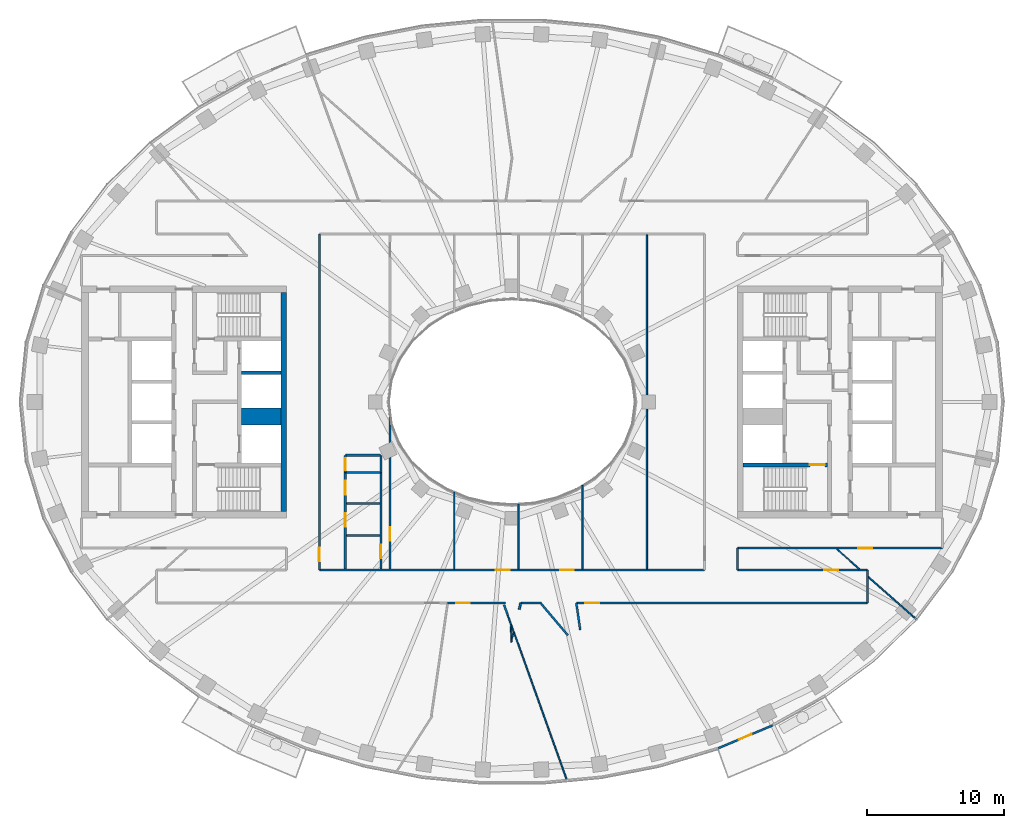
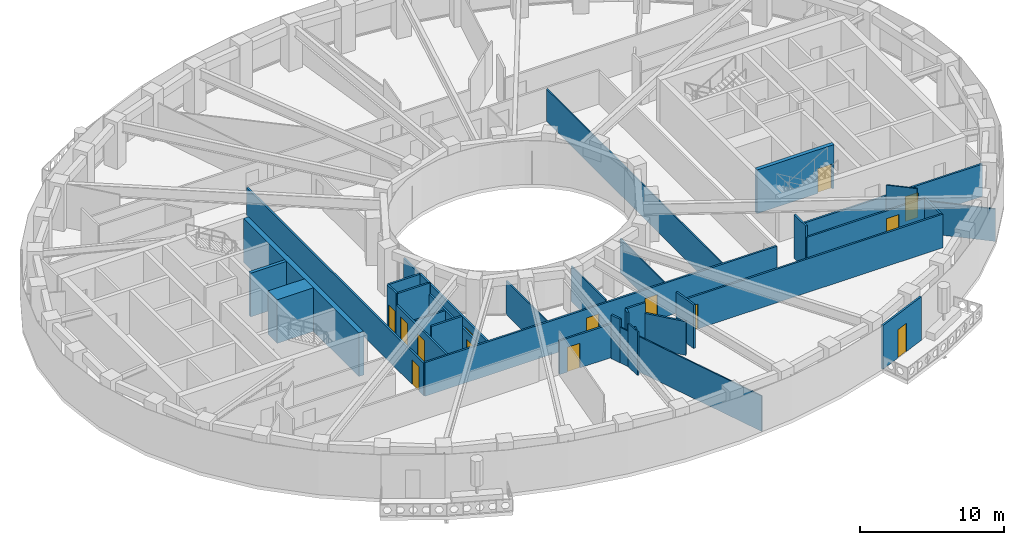
# One storey, part 4 of 15: 36 walls, 14 doors, 14 openings.
"""IFC4 building model written with IfcOpenShell, lengths in metres."""

from ifc_helpers import new_model, si_unit, direction, frame, frame_2d, origin, place, context, subcontext, project, spatial, rectangle, extrude, material, layer, layer_set, type_object, element, fill, save


model = new_model("IFC4")

# Units and contexts
model_context = context("Model", 3, precision=1e-05, world=origin(), true_north=direction((0.0, 1.0)))
body_context = subcontext(model_context, "Body", "Model", "MODEL_VIEW")
ifc_project = project(units=[si_unit("LENGTHUNIT", "METRE"), si_unit("AREAUNIT", "SQUARE_METRE"), si_unit("VOLUMEUNIT", "CUBIC_METRE"), si_unit("PLANEANGLEUNIT", "RADIAN"), si_unit("MASSUNIT", "GRAM", prefix="KILO")], contexts=[model_context])

# Site, building, storey
site_placement = place(None, origin())
site = spatial("IfcSite", under=ifc_project, at=site_placement, CompositionType="ELEMENT")
building_placement = place(site_placement, origin())
building = spatial("IfcBuilding", under=site, at=building_placement, Name="Noorbagh Ring Tower", CompositionType="ELEMENT")
storey_placement = place(building_placement, frame((0.0, 0.0, 253.5)))
storey = spatial("IfcBuildingStorey", under=building, at=storey_placement, Name="L53", CompositionType="ELEMENT", Elevation=253.5)

# Wall, opening, door
ifc_material_1 = material(Name="Gypsum board on steel studs", Category="steel")
ifc_layer_1 = layer(ifc_material_1, 0.14990234375)
ifc_layer_set_1 = layer_set([ifc_layer_1], Name="Gypsum board on steel studs")
wall_type_1 = type_object("IfcWallType", Name="COMPARTMENT PARTITION 150 EI 60", PredefinedType="PARTITIONING", material=ifc_layer_set_1)
wall_1_placement = place(storey_placement, frame((-12.199951171875, -5.159912109375, 0.0), z_axis=(0.0, 0.0, 1.0), x_axis=(0.0, 1.0, 0.0)))
wall_1 = element("IfcWall", 1, at=wall_1_placement, inside=storey, type_object=wall_type_1, Name="L53/wall/P25", PredefinedType="PARTITIONING", context=body_context, shape_type="SweptSolid", body=[
    extrude(rectangle(XDim=1.260009765625, YDim=0.14990234375, at=frame_2d((0.6298828125, 0.0))), origin(), (0.0, 0.0, 1.0), 3.699951171875),
])
opening_1_placement = place(wall_1_placement, frame((0.14990234375, 0.0, 0.0)))
opening_1 = element("IfcOpeningElement", 2, at=opening_1_placement, cuts=wall_1, Name="Opening D4", PredefinedType="OPENING", context=body_context, shape_type="SweptSolid", body=[
    extrude(rectangle(XDim=0.89990234375, YDim=2.10009765625, at=frame_2d((0.449951171875, 1.050048828125))), frame((0.0, 0.0849609375, 0.0), z_axis=(0.0, -1.0, 0.0), x_axis=(1.0, 0.0, 0.0)), (0.0, 0.0, 1.0), 0.169921875),
])
ifc_material_2 = material(Name="Timber, painted", Category="wood")
door_type_1 = type_object("IfcDoorType", Name="DOOR 900 X 2100 FD60", OperationType="SINGLE_SWING_LEFT", PredefinedType="DOOR", material=ifc_material_2)
door_1_placement = place(opening_1_placement, origin())
door_1 = element("IfcDoor", 3, at=door_1_placement, inside=storey, type_object=door_type_1, Name="L53-D05", OperationType="SINGLE_SWING_LEFT", OverallHeight=2.10009765625, OverallWidth=0.89990234375, PredefinedType="DOOR", context=body_context, shape_type="SweptSolid", body=[
    extrude(rectangle(XDim=0.89990234375, YDim=2.10009765625, at=frame_2d((0.449951171875, 1.050048828125))), frame((0.0, 0.02490234375, 0.0), z_axis=(0.0, -1.0, 0.0), x_axis=(1.0, 0.0, 0.0)), (0.0, 0.0, 1.0), 0.050048828125),
])
fill(opening_1, door_1)

# Walls
wall_2_placement = place(storey_placement, frame((-12.199951171875, -5.159912109375, 0.0), z_axis=(0.0, 0.0, 1.0), x_axis=(1.0, 0.0, 0.0)))
element("IfcWall", 4, at=wall_2_placement, inside=storey, type_object=wall_type_1, Name="L53/wall/P26", PredefinedType="PARTITIONING", context=body_context, shape_type="SweptSolid", body=[
    extrude(rectangle(XDim=2.599853515625, YDim=0.14990234375, at=frame_2d((1.2998046875, 0.0))), origin(), (0.0, 0.0, 1.0), 3.699951171875),
])
wall_3_placement = place(storey_placement, frame((-12.199951171875, -3.89990234375, 0.0), z_axis=(0.0, 0.0, 1.0), x_axis=(1.0, 0.0, 0.0)))
element("IfcWall", 5, at=wall_3_placement, inside=storey, type_object=wall_type_1, Name="L53/wall/P27", PredefinedType="PARTITIONING", context=body_context, shape_type="SweptSolid", body=[
    extrude(rectangle(XDim=2.595947265625, YDim=0.14990234375, at=frame_2d((1.2978515625, 0.0))), origin(), (0.0, 0.0, 1.0), 3.699951171875),
])
wall_4_placement = place(storey_placement, frame((-9.60009765625, -5.159912109375, 0.0), z_axis=(0.0, 0.0, 1.0), x_axis=(0.0, 1.0, 0.0)))
element("IfcWall", 6, at=wall_4_placement, inside=storey, type_object=wall_type_1, Name="L53/wall/P30", PredefinedType="PARTITIONING", context=body_context, shape_type="SweptSolid", body=[
    extrude(rectangle(XDim=1.255859375, YDim=0.14990234375, at=frame_2d((0.6279296875, 0.0))), origin(), (0.0, 0.0, 1.0), 3.699951171875),
])
ifc_material_3 = material(Name="Concrete C60/75", Category="concrete")
ifc_layer_2 = layer(ifc_material_3, 1.25)
ifc_layer_set_2 = layer_set([ifc_layer_2], Name="Concrete C60/75")
wall_type_2 = type_object("IfcWallType", Name="CORE-WALL-1250-C60-75-EI120", PredefinedType="SHEAR", material=ifc_layer_set_2)
wall_5_placement = place(storey_placement, frame((-16.89990234375, -1.074951171875, 0.0), z_axis=(0.0, 0.0, 1.0), x_axis=(-1.0, 0.0, 0.0)))
element("IfcWall", 7, at=wall_5_placement, inside=storey, type_object=wall_type_2, Name="Core wall W", PredefinedType="SHEAR", context=body_context, shape_type="SweptSolid", body=[
    extrude(rectangle(XDim=2.900146484375, YDim=1.25, at=frame_2d((1.4501953125, 0.0))), origin(), (0.0, 0.0, 1.0), 3.699951171875),
])
ifc_material_4 = material(Name="Concrete C60/75", Category="concrete")
ifc_layer_3 = layer(ifc_material_4, 0.25)
ifc_layer_set_3 = layer_set([ifc_layer_3], Name="Concrete C60/75")
wall_type_3 = type_object("IfcWallType", Name="CORE-WALL-250-C60-75-EI120", PredefinedType="SHEAR", material=ifc_layer_set_3)
wall_6_placement = place(storey_placement, frame((-16.89990234375, 2.125, 0.0), z_axis=(0.0, 0.0, 1.0), x_axis=(-1.0, 0.0, 0.0)))
element("IfcWall", 8, at=wall_6_placement, inside=storey, type_object=wall_type_3, Name="Core wall W", PredefinedType="SHEAR", context=body_context, shape_type="SweptSolid", body=[
    extrude(rectangle(XDim=2.900146484375, YDim=0.25, at=frame_2d((1.4501953125, 0.0))), origin(), (0.0, 0.0, 1.0), 3.699951171875),
])

# Wall, opening, door
ifc_material_5 = material(Name="Concrete C60/75", Category="concrete")
ifc_layer_4 = layer(ifc_material_5, 0.300048828125)
ifc_layer_set_4 = layer_set([ifc_layer_4], Name="Concrete C60/75")
wall_type_4 = type_object("IfcWallType", Name="CORE-WALL-300-C60-75-EI240", PredefinedType="SHEAR", material=ifc_layer_set_4)
wall_7_placement = place(storey_placement, frame((16.89990234375, -4.60009765625, 0.0), z_axis=(0.0, 0.0, 1.0), x_axis=(1.0, 0.0, 0.0)))
wall_7 = element("IfcWall", 9, at=wall_7_placement, inside=storey, type_object=wall_type_4, Name="Core wall E", PredefinedType="SHEAR", context=body_context, shape_type="SweptSolid", body=[
    extrude(rectangle(XDim=6.18017578125, YDim=0.300048828125, at=frame_2d((3.090087890625, 0.0))), origin(), (0.0, 0.0, 1.0), 3.699951171875),
])
opening_2_placement = place(wall_7_placement, frame((4.89990234375, 0.0, 0.0)))
opening_2 = element("IfcOpeningElement", 10, at=opening_2_placement, cuts=wall_7, Name="Opening L53-CE08", PredefinedType="OPENING", context=body_context, shape_type="SweptSolid", body=[
    extrude(rectangle(XDim=1.10009765625, YDim=2.10009765625, at=frame_2d((0.550048828125, 1.050048828125))), frame((0.0, 0.16015625, 0.0), z_axis=(0.0, -1.0, 0.0), x_axis=(1.0, 0.0, 0.0)), (0.0, 0.0, 1.0), 0.320068359375),
])
ifc_material_6 = material(Name="Steel door leaf", Category="steel")
door_type_2 = type_object("IfcDoorType", Name="CORE-DOOR-DSTAIR", OperationType="SINGLE_SWING_LEFT", PredefinedType="DOOR", material=ifc_material_6)
door_2_placement = place(opening_2_placement, origin())
door_2 = element("IfcDoor", 11, at=door_2_placement, inside=storey, type_object=door_type_2, Name="Stair door ST4 L53-CE08", OperationType="SINGLE_SWING_RIGHT", OverallHeight=2.10009765625, OverallWidth=1.10009765625, PredefinedType="DOOR", context=body_context, shape_type="SweptSolid", body=[
    extrude(rectangle(XDim=1.10009765625, YDim=2.10009765625, at=frame_2d((0.550048828125, 1.050048828125))), frame((0.0, 0.02490234375, 0.0), z_axis=(0.0, -1.0, 0.0), x_axis=(1.0, 0.0, 0.0)), (0.0, 0.0, 1.0), 0.050048828125),
])
fill(opening_2, door_2)

# Wall
ifc_material_7 = material(Name="Concrete C60/75", Category="concrete")
ifc_layer_5 = layer(ifc_material_7, 0.39990234375)
ifc_layer_set_5 = layer_set([ifc_layer_5], Name="Concrete C60/75")
wall_type_5 = type_object("IfcWallType", Name="CORE-WALL-400-C60-75-EI240", PredefinedType="SHEAR", material=ifc_layer_set_5)
wall_8_placement = place(storey_placement, frame((-16.699951171875, -8.0, 0.0), z_axis=(0.0, 0.0, 1.0), x_axis=(0.0, 1.0, 0.0)))
element("IfcWall", 12, at=wall_8_placement, inside=storey, type_object=wall_type_5, Name="Core wall W", PredefinedType="SHEAR", context=body_context, shape_type="SweptSolid", body=[
    extrude(rectangle(XDim=16.0, YDim=0.39990234375, at=frame_2d((8.0, 0.0))), origin(), (0.0, 0.0, 1.0), 3.699951171875),
])

# Wall, opening, door
ifc_material_8 = material(Name="Gypsum board on steel studs", Category="steel")
ifc_layer_6 = layer(ifc_material_8, 0.14990234375)
ifc_layer_set_6 = layer_set([ifc_layer_6], Name="Gypsum board on steel studs")
wall_type_6 = type_object("IfcWallType", Name="CORRIDOR PARTITION 150 EI 30", PredefinedType="PARTITIONING", material=ifc_layer_set_6)
wall_9_placement = place(storey_placement, frame((-14.10009765625, -12.300048828125, 0.0), z_axis=(0.0, 0.0, 1.0), x_axis=(0.0, 1.0, 0.0)))
wall_9 = element("IfcWall", 13, at=wall_9_placement, inside=storey, type_object=wall_type_6, Name="L53/wall/P18", PredefinedType="PARTITIONING", context=body_context, shape_type="SweptSolid", body=[
    extrude(rectangle(XDim=24.60009765625, YDim=0.14990234375, at=frame_2d((12.300048828125, 0.0))), origin(), (0.0, 0.0, 1.0), 2.75),
])
opening_3_placement = place(wall_9_placement, frame((0.64990234375, 0.0, 0.0)))
opening_3 = element("IfcOpeningElement", 14, at=opening_3_placement, cuts=wall_9, Name="Opening D1", PredefinedType="OPENING", context=body_context, shape_type="SweptSolid", body=[
    extrude(rectangle(XDim=1.0, YDim=2.10009765625, at=frame_2d((0.5, 1.050048828125))), frame((0.0, 0.0849609375, 0.0), z_axis=(0.0, -1.0, 0.0), x_axis=(1.0, 0.0, 0.0)), (0.0, 0.0, 1.0), 0.169921875),
])
ifc_material_9 = material(Name="Timber, painted", Category="wood")
door_type_3 = type_object("IfcDoorType", Name="DOOR 1000 X 2100 FD30", OperationType="SINGLE_SWING_LEFT", PredefinedType="DOOR", material=ifc_material_9)
door_3_placement = place(opening_3_placement, origin())
door_3 = element("IfcDoor", 15, at=door_3_placement, inside=storey, type_object=door_type_3, Name="L53-D01", OperationType="SINGLE_SWING_LEFT", OverallHeight=2.10009765625, OverallWidth=1.0, PredefinedType="DOOR", context=body_context, shape_type="SweptSolid", body=[
    extrude(rectangle(XDim=1.0, YDim=2.10009765625, at=frame_2d((0.5, 1.050048828125))), frame((0.0, 0.02490234375, 0.0), z_axis=(0.0, -1.0, 0.0), x_axis=(1.0, 0.0, 0.0)), (0.0, 0.0, 1.0), 0.050048828125),
])
fill(opening_3, door_3)

# Wall, openings, doors
wall_10_placement = place(storey_placement, frame((-14.10009765625, -12.300048828125, 0.0), z_axis=(0.0, 0.0, 1.0), x_axis=(1.0, 0.0, 0.0)))
wall_10 = element("IfcWall", 16, at=wall_10_placement, inside=storey, type_object=wall_type_6, Name="L53/wall/P19", PredefinedType="PARTITIONING", context=body_context, shape_type="SweptSolid", body=[
    extrude(rectangle(XDim=28.2001953125, YDim=0.14990234375, at=frame_2d((14.10009765625, 0.0))), origin(), (0.0, 0.0, 1.0), 2.85009765625),
])
opening_4_placement = place(wall_10_placement, frame((12.919921875, 0.0, 0.0)))
opening_4 = element("IfcOpeningElement", 17, at=opening_4_placement, cuts=wall_10, Name="Opening D1", PredefinedType="OPENING", context=body_context, shape_type="SweptSolid", body=[
    extrude(rectangle(XDim=1.0, YDim=2.10009765625, at=frame_2d((0.5, 1.050048828125))), frame((0.0, 0.0849609375, 0.0), z_axis=(0.0, -1.0, 0.0), x_axis=(1.0, 0.0, 0.0)), (0.0, 0.0, 1.0), 0.169921875),
])
opening_5_placement = place(wall_10_placement, frame((17.6201171875, 0.0, 0.0)))
opening_5 = element("IfcOpeningElement", 18, at=opening_5_placement, cuts=wall_10, Name="Opening D1", PredefinedType="OPENING", context=body_context, shape_type="SweptSolid", body=[
    extrude(rectangle(XDim=1.0, YDim=2.10009765625, at=frame_2d((0.5, 1.050048828125))), frame((0.0, 0.0849609375, 0.0), z_axis=(0.0, -1.0, 0.0), x_axis=(1.0, 0.0, 0.0)), (0.0, 0.0, 1.0), 0.169921875),
])
door_4_placement = place(opening_4_placement, origin())
door_4 = element("IfcDoor", 19, at=door_4_placement, inside=storey, type_object=door_type_3, Name="L53-D23", OperationType="SINGLE_SWING_LEFT", OverallHeight=2.10009765625, OverallWidth=1.0, PredefinedType="DOOR", context=body_context, shape_type="SweptSolid", body=[
    extrude(rectangle(XDim=1.0, YDim=2.10009765625, at=frame_2d((0.5, 1.050048828125))), frame((0.0, 0.02490234375, 0.0), z_axis=(0.0, -1.0, 0.0), x_axis=(1.0, 0.0, 0.0)), (0.0, 0.0, 1.0), 0.050048828125),
])
fill(opening_4, door_4)
door_5_placement = place(opening_5_placement, origin())
door_5 = element("IfcDoor", 20, at=door_5_placement, inside=storey, type_object=door_type_3, Name="L53-D25", OperationType="SINGLE_SWING_LEFT", OverallHeight=2.10009765625, OverallWidth=1.0, PredefinedType="DOOR", context=body_context, shape_type="SweptSolid", body=[
    extrude(rectangle(XDim=1.0, YDim=2.10009765625, at=frame_2d((0.5, 1.050048828125))), frame((0.0, 0.02490234375, 0.0), z_axis=(0.0, -1.0, 0.0), x_axis=(1.0, 0.0, 0.0)), (0.0, 0.0, 1.0), 0.050048828125),
])
fill(opening_5, door_5)

wall_11_placement = place(storey_placement, frame((-12.199951171875, -12.22509765625, 0.0), z_axis=(0.0, 0.0, 1.0), x_axis=(0.0, 1.0, 0.0)))
wall_11 = element("IfcWall", 21, at=wall_11_placement, inside=storey, type_object=wall_type_6, Name="L53/wall/P22", PredefinedType="PARTITIONING", context=body_context, shape_type="SweptSolid", body=[
    extrude(rectangle(XDim=7.065185546875, YDim=0.14990234375, at=frame_2d((3.53271484375, 0.0))), origin(), (0.0, 0.0, 1.0), 2.75),
])
opening_6_placement = place(wall_11_placement, frame((3.094970703125, 0.0, 0.0)))
opening_6 = element("IfcOpeningElement", 22, at=opening_6_placement, cuts=wall_11, Name="Opening D3", PredefinedType="OPENING", context=body_context, shape_type="SweptSolid", body=[
    extrude(rectangle(XDim=1.0, YDim=2.10009765625, at=frame_2d((0.5, 1.050048828125))), frame((0.0, 0.0849609375, 0.0), z_axis=(0.0, -1.0, 0.0), x_axis=(1.0, 0.0, 0.0)), (0.0, 0.0, 1.0), 0.169921875),
])
opening_7_placement = place(wall_11_placement, frame((5.447021484375, 0.0, 0.0)))
opening_7 = element("IfcOpeningElement", 23, at=opening_7_placement, cuts=wall_11, Name="Opening D3", PredefinedType="OPENING", context=body_context, shape_type="SweptSolid", body=[
    extrude(rectangle(XDim=1.0, YDim=2.10009765625, at=frame_2d((0.5, 1.050048828125))), frame((0.0, 0.0849609375, 0.0), z_axis=(0.0, -1.0, 0.0), x_axis=(1.0, 0.0, 0.0)), (0.0, 0.0, 1.0), 0.169921875),
])
ifc_material_10 = material(Name="Timber, painted", Category="wood")
door_type_4 = type_object("IfcDoorType", Name="DOOR 1000 X 2100 WC", OperationType="SINGLE_SWING_LEFT", PredefinedType="DOOR", material=ifc_material_10)
door_6_placement = place(opening_6_placement, origin())
door_6 = element("IfcDoor", 24, at=door_6_placement, inside=storey, type_object=door_type_4, Name="L53-D03", OperationType="SINGLE_SWING_LEFT", OverallHeight=2.10009765625, OverallWidth=1.0, PredefinedType="DOOR", context=body_context, shape_type="SweptSolid", body=[
    extrude(rectangle(XDim=1.0, YDim=2.10009765625, at=frame_2d((0.5, 1.050048828125))), frame((0.0, 0.02490234375, 0.0), z_axis=(0.0, -1.0, 0.0), x_axis=(1.0, 0.0, 0.0)), (0.0, 0.0, 1.0), 0.050048828125),
])
fill(opening_6, door_6)
door_7_placement = place(opening_7_placement, origin())
door_7 = element("IfcDoor", 25, at=door_7_placement, inside=storey, type_object=door_type_4, Name="L53-D04", OperationType="SINGLE_SWING_RIGHT", OverallHeight=2.10009765625, OverallWidth=1.0, PredefinedType="DOOR", context=body_context, shape_type="SweptSolid", body=[
    extrude(rectangle(XDim=1.0, YDim=2.10009765625, at=frame_2d((0.5, 1.050048828125))), frame((0.0, 0.02490234375, 0.0), z_axis=(0.0, -1.0, 0.0), x_axis=(1.0, 0.0, 0.0)), (0.0, 0.0, 1.0), 0.050048828125),
])
fill(opening_7, door_7)

# Walls
wall_12_placement = place(storey_placement, frame((-12.125, -9.780029296875, 0.0), z_axis=(0.0, 0.0, 1.0), x_axis=(1.0, 0.0, 0.0)))
element("IfcWall", 26, at=wall_12_placement, inside=storey, type_object=wall_type_6, Name="L53/wall/P23", PredefinedType="PARTITIONING", context=body_context, shape_type="SweptSolid", body=[
    extrude(rectangle(XDim=2.449951171875, YDim=0.14990234375, at=frame_2d((1.22509765625, 0.0))), origin(), (0.0, 0.0, 1.0), 3.699951171875),
])
wall_13_placement = place(storey_placement, frame((-12.125, -7.427978515625, 0.0), z_axis=(0.0, 0.0, 1.0), x_axis=(1.0, 0.0, 0.0)))
element("IfcWall", 27, at=wall_13_placement, inside=storey, type_object=wall_type_6, Name="L53/wall/P24", PredefinedType="PARTITIONING", context=body_context, shape_type="SweptSolid", body=[
    extrude(rectangle(XDim=2.449951171875, YDim=0.14990234375, at=frame_2d((1.22509765625, 0.0))), origin(), (0.0, 0.0, 1.0), 2.75),
])

# Wall, opening, door
wall_14_placement = place(storey_placement, frame((-9.60009765625, -12.22509765625, 0.0), z_axis=(0.0, 0.0, 1.0), x_axis=(0.0, 1.0, 0.0)))
wall_14 = element("IfcWall", 28, at=wall_14_placement, inside=storey, type_object=wall_type_6, Name="L53/wall/P29", PredefinedType="PARTITIONING", context=body_context, shape_type="SweptSolid", body=[
    extrude(rectangle(XDim=7.065185546875, YDim=0.14990234375, at=frame_2d((3.53271484375, 0.0))), origin(), (0.0, 0.0, 1.0), 2.75),
])
opening_8_placement = place(wall_14_placement, frame((0.794921875, 0.0, 0.0)))
opening_8 = element("IfcOpeningElement", 29, at=opening_8_placement, cuts=wall_14, Name="Opening D3", PredefinedType="OPENING", context=body_context, shape_type="SweptSolid", body=[
    extrude(rectangle(XDim=1.0, YDim=2.10009765625, at=frame_2d((0.5, 1.050048828125))), frame((0.0, 0.0849609375, 0.0), z_axis=(0.0, -1.0, 0.0), x_axis=(1.0, 0.0, 0.0)), (0.0, 0.0, 1.0), 0.169921875),
])
door_8_placement = place(opening_8_placement, origin())
door_8 = element("IfcDoor", 30, at=door_8_placement, inside=storey, type_object=door_type_4, Name="L53-D02", OperationType="SINGLE_SWING_RIGHT", OverallHeight=2.10009765625, OverallWidth=1.0, PredefinedType="DOOR", context=body_context, shape_type="SweptSolid", body=[
    extrude(rectangle(XDim=1.0, YDim=2.10009765625, at=frame_2d((0.5, 1.050048828125))), frame((0.0, 0.02490234375, 0.0), z_axis=(0.0, -1.0, 0.0), x_axis=(1.0, 0.0, 0.0)), (0.0, 0.0, 1.0), 0.050048828125),
])
fill(opening_8, door_8)

wall_15_placement = place(storey_placement, frame((-8.929931640625, -12.22509765625, 0.0), z_axis=(0.0, 0.0, 1.0), x_axis=(0.0, 1.0, 0.0)))
wall_15 = element("IfcWall", 31, at=wall_15_placement, inside=storey, type_object=wall_type_6, Name="L53/wall/P31", PredefinedType="PARTITIONING", context=body_context, shape_type="SweptSolid", body=[
    extrude(rectangle(XDim=11.70703125, YDim=0.14990234375, at=frame_2d((5.853515625, 0.0))), origin(), (0.0, 0.0, 1.0), 2.75),
])
opening_9_placement = place(wall_15_placement, frame((2.074951171875, 0.0, 0.0)))
opening_9 = element("IfcOpeningElement", 32, at=opening_9_placement, cuts=wall_15, Name="Opening D1", PredefinedType="OPENING", context=body_context, shape_type="SweptSolid", body=[
    extrude(rectangle(XDim=1.0, YDim=2.10009765625, at=frame_2d((0.5, 1.050048828125))), frame((0.0, 0.0849609375, 0.0), z_axis=(0.0, -1.0, 0.0), x_axis=(1.0, 0.0, 0.0)), (0.0, 0.0, 1.0), 0.169921875),
])
door_9_placement = place(opening_9_placement, origin())
door_9 = element("IfcDoor", 33, at=door_9_placement, inside=storey, type_object=door_type_3, Name="L53-D21", OperationType="SINGLE_SWING_LEFT", OverallHeight=2.10009765625, OverallWidth=1.0, PredefinedType="DOOR", context=body_context, shape_type="SweptSolid", body=[
    extrude(rectangle(XDim=1.0, YDim=2.10009765625, at=frame_2d((0.5, 1.050048828125))), frame((0.0, 0.02490234375, 0.0), z_axis=(0.0, -1.0, 0.0), x_axis=(1.0, 0.0, 0.0)), (0.0, 0.0, 1.0), 0.050048828125),
])
fill(opening_9, door_9)

wall_16_placement = place(storey_placement, frame((-4.705078125, -14.699951171875, 0.0), z_axis=(0.0, 0.0, 1.0), x_axis=(1.0, 0.0, 0.0)))
wall_16 = element("IfcWall", 34, at=wall_16_placement, inside=storey, type_object=wall_type_6, Name="L53/wall/P35", PredefinedType="PARTITIONING", context=body_context, shape_type="SweptSolid", body=[
    extrude(rectangle(XDim=4.212158203125, YDim=0.14990234375, at=frame_2d((2.10595703125, 0.0))), origin(), (0.0, 0.0, 1.0), 2.85009765625),
])
opening_10_placement = place(wall_16_placement, frame((0.6298828125, 0.0, 0.0)))
opening_10 = element("IfcOpeningElement", 35, at=opening_10_placement, cuts=wall_16, Name="Opening D1", PredefinedType="OPENING", context=body_context, shape_type="SweptSolid", body=[
    extrude(rectangle(XDim=1.0, YDim=2.10009765625, at=frame_2d((0.5, 1.050048828125))), frame((0.0, 0.0849609375, 0.0), z_axis=(0.0, -1.0, 0.0), x_axis=(1.0, 0.0, 0.0)), (0.0, 0.0, 1.0), 0.169921875),
])
door_10_placement = place(opening_10_placement, origin())
door_10 = element("IfcDoor", 36, at=door_10_placement, inside=storey, type_object=door_type_3, Name="L53-D13", OperationType="SINGLE_SWING_LEFT", OverallHeight=2.10009765625, OverallWidth=1.0, PredefinedType="DOOR", context=body_context, shape_type="SweptSolid", body=[
    extrude(rectangle(XDim=1.0, YDim=2.10009765625, at=frame_2d((0.5, 1.050048828125))), frame((0.0, 0.02490234375, 0.0), z_axis=(0.0, -1.0, 0.0), x_axis=(1.0, 0.0, 0.0)), (0.0, 0.0, 1.0), 0.050048828125),
])
fill(opening_10, door_10)

# Walls
wall_17_placement = place(storey_placement, frame((-0.5810546875, -14.847900390625, 0.0), z_axis=(0.0, 0.0, 1.0), x_axis=(0.338772689559, -0.940868250505, 0.0)))
element("IfcWall", 37, at=wall_17_placement, inside=storey, type_object=wall_type_6, Name="L53/wall/P39", PredefinedType="PARTITIONING", context=body_context, shape_type="SweptSolid", body=[
    extrude(rectangle(XDim=0.812255859375, YDim=0.14990234375, at=frame_2d((0.40625, 0.0))), origin(), (0.0, 0.0, 1.0), 3.699951171875),
])
wall_18_placement = place(storey_placement, frame((0.52490234375, -15.1689453125, 0.0), z_axis=(0.0, 0.0, 1.0), x_axis=(0.239131424565, 0.970987209898, 0.0)))
element("IfcWall", 38, at=wall_18_placement, inside=storey, type_object=wall_type_6, Name="L53/wall/P47", PredefinedType="PARTITIONING", context=body_context, shape_type="SweptSolid", body=[
    extrude(rectangle(XDim=0.47265625, YDim=0.14990234375, at=frame_2d((0.236328125, 0.0))), origin(), (0.0, 0.0, 1.0), 3.699951171875),
])
wall_19_placement = place(storey_placement, frame((0.64111328125, -14.699951171875, 0.0), z_axis=(0.0, 0.0, 1.0), x_axis=(1.0, 0.0, 0.0)))
element("IfcWall", 39, at=wall_19_placement, inside=storey, type_object=wall_type_6, Name="L53/wall/P48", PredefinedType="PARTITIONING", context=body_context, shape_type="SweptSolid", body=[
    extrude(rectangle(XDim=1.533935546875, YDim=0.14990234375, at=frame_2d((0.76708984375, 0.0))), origin(), (0.0, 0.0, 1.0), 3.699951171875),
])
wall_20_placement = place(storey_placement, frame((2.14306640625, -14.778076171875, 0.0), z_axis=(0.0, 0.0, 1.0), x_axis=(0.646434796418, -0.762969235277, 0.0)))
element("IfcWall", 40, at=wall_20_placement, inside=storey, type_object=wall_type_6, Name="L53/wall/P49", PredefinedType="PARTITIONING", context=body_context, shape_type="SweptSolid", body=[
    extrude(rectangle(XDim=3.02099609375, YDim=0.14990234375, at=frame_2d((1.510498046875, 0.0))), origin(), (0.0, 0.0, 1.0), 2.85009765625),
])
wall_21_placement = place(storey_placement, frame((4.705078125, -14.7041015625, 0.0), z_axis=(0.0, 0.0, 1.0), x_axis=(0.142653420191, -0.989772702042, 0.0)))
element("IfcWall", 41, at=wall_21_placement, inside=storey, type_object=wall_type_6, Name="L53/wall/P50", PredefinedType="PARTITIONING", context=body_context, shape_type="SweptSolid", body=[
    extrude(rectangle(XDim=1.997314453125, YDim=0.14990234375, at=frame_2d((0.99853515625, 0.0))), origin(), (0.0, 0.0, 1.0), 3.699951171875),
])

# Wall, opening, door
wall_22_placement = place(storey_placement, frame((4.72509765625, -14.699951171875, 0.0), z_axis=(0.0, 0.0, 1.0), x_axis=(1.0, 0.0, 0.0)))
wall_22 = element("IfcWall", 42, at=wall_22_placement, inside=storey, type_object=wall_type_6, Name="L53/wall/P51", PredefinedType="PARTITIONING", context=body_context, shape_type="SweptSolid", body=[
    extrude(rectangle(XDim=21.27490234375, YDim=0.14990234375, at=frame_2d((10.637451171875, 0.0))), origin(), (0.0, 0.0, 1.0), 2.85009765625),
])
opening_11_placement = place(wall_22_placement, frame((0.64990234375, 0.0, 0.0)))
opening_11 = element("IfcOpeningElement", 43, at=opening_11_placement, cuts=wall_22, Name="Opening D1", PredefinedType="OPENING", context=body_context, shape_type="SweptSolid", body=[
    extrude(rectangle(XDim=1.0, YDim=2.10009765625, at=frame_2d((0.5, 1.050048828125))), frame((0.0, 0.0849609375, 0.0), z_axis=(0.0, -1.0, 0.0), x_axis=(1.0, 0.0, 0.0)), (0.0, 0.0, 1.0), 0.169921875),
])
door_11_placement = place(opening_11_placement, origin())
door_11 = element("IfcDoor", 44, at=door_11_placement, inside=storey, type_object=door_type_3, Name="L53-D15", OperationType="SINGLE_SWING_LEFT", OverallHeight=2.10009765625, OverallWidth=1.0, PredefinedType="DOOR", context=body_context, shape_type="SweptSolid", body=[
    extrude(rectangle(XDim=1.0, YDim=2.10009765625, at=frame_2d((0.5, 1.050048828125))), frame((0.0, 0.02490234375, 0.0), z_axis=(0.0, -1.0, 0.0), x_axis=(1.0, 0.0, 0.0)), (0.0, 0.0, 1.0), 0.050048828125),
])
fill(opening_11, door_11)

# Wall
wall_23_placement = place(storey_placement, frame((16.5, -12.300048828125, 0.0), z_axis=(0.0, 0.0, 1.0), x_axis=(0.0, 1.0, 0.0)))
element("IfcWall", 45, at=wall_23_placement, inside=storey, type_object=wall_type_6, Name="L53/wall/P61", PredefinedType="PARTITIONING", context=body_context, shape_type="SweptSolid", body=[
    extrude(rectangle(XDim=1.60009765625, YDim=0.14990234375, at=frame_2d((0.800048828125, 0.0))), origin(), (0.0, 0.0, 1.0), 3.699951171875),
])

# Wall, opening, door
wall_24_placement = place(storey_placement, frame((16.5, -12.300048828125, 0.0), z_axis=(0.0, 0.0, 1.0), x_axis=(1.0, 0.0, 0.0)))
wall_24 = element("IfcWall", 46, at=wall_24_placement, inside=storey, type_object=wall_type_6, Name="L53/wall/P62", PredefinedType="PARTITIONING", context=body_context, shape_type="SweptSolid", body=[
    extrude(rectangle(XDim=9.5, YDim=0.14990234375, at=frame_2d((4.75, 0.0))), origin(), (0.0, 0.0, 1.0), 2.75),
])
opening_12_placement = place(wall_24_placement, frame((6.35595703125, 0.0, 0.0)))
opening_12 = element("IfcOpeningElement", 47, at=opening_12_placement, cuts=wall_24, Name="Opening D1", PredefinedType="OPENING", context=body_context, shape_type="SweptSolid", body=[
    extrude(rectangle(XDim=1.0, YDim=2.10009765625, at=frame_2d((0.5, 1.050048828125))), frame((0.0, 0.0849609375, 0.0), z_axis=(0.0, -1.0, 0.0), x_axis=(1.0, 0.0, 0.0)), (0.0, 0.0, 1.0), 0.169921875),
])
door_12_placement = place(opening_12_placement, origin())
door_12 = element("IfcDoor", 48, at=door_12_placement, inside=storey, type_object=door_type_3, Name="L53-D17", OperationType="SINGLE_SWING_LEFT", OverallHeight=2.10009765625, OverallWidth=1.0, PredefinedType="DOOR", context=body_context, shape_type="SweptSolid", body=[
    extrude(rectangle(XDim=1.0, YDim=2.10009765625, at=frame_2d((0.5, 1.050048828125))), frame((0.0, 0.02490234375, 0.0), z_axis=(0.0, -1.0, 0.0), x_axis=(1.0, 0.0, 0.0)), (0.0, 0.0, 1.0), 0.050048828125),
])
fill(opening_12, door_12)

wall_25_placement = place(storey_placement, frame((16.5, -10.699951171875, 0.0), z_axis=(0.0, 0.0, 1.0), x_axis=(1.0, 0.0, 0.0)))
wall_25 = element("IfcWall", 49, at=wall_25_placement, inside=storey, type_object=wall_type_6, Name="L53/wall/P63", PredefinedType="PARTITIONING", context=body_context, shape_type="SweptSolid", body=[
    extrude(rectangle(XDim=15.0, YDim=0.14990234375, at=frame_2d((7.5, 0.0))), origin(), (0.0, 0.0, 1.0), 2.75),
])
opening_13_placement = place(wall_25_placement, frame((8.846923828125, 0.0, 0.0)))
opening_13 = element("IfcOpeningElement", 50, at=opening_13_placement, cuts=wall_25, Name="Opening D1", PredefinedType="OPENING", context=body_context, shape_type="SweptSolid", body=[
    extrude(rectangle(XDim=1.0, YDim=2.10009765625, at=frame_2d((0.5, 1.050048828125))), frame((0.0, 0.0849609375, 0.0), z_axis=(0.0, -1.0, 0.0), x_axis=(1.0, 0.0, 0.0)), (0.0, 0.0, 1.0), 0.169921875),
])
door_13_placement = place(opening_13_placement, origin())
door_13 = element("IfcDoor", 51, at=door_13_placement, inside=storey, type_object=door_type_3, Name="L53-D19", OperationType="SINGLE_SWING_LEFT", OverallHeight=2.10009765625, OverallWidth=1.0, PredefinedType="DOOR", context=body_context, shape_type="SweptSolid", body=[
    extrude(rectangle(XDim=1.0, YDim=2.10009765625, at=frame_2d((0.5, 1.050048828125))), frame((0.0, 0.02490234375, 0.0), z_axis=(0.0, -1.0, 0.0), x_axis=(1.0, 0.0, 0.0)), (0.0, 0.0, 1.0), 0.050048828125),
])
fill(opening_13, door_13)

# Wall
wall_26_placement = place(storey_placement, frame((26.0, -14.699951171875, 0.0), z_axis=(0.0, 0.0, 1.0), x_axis=(0.0, 1.0, 0.0)))
element("IfcWall", 52, at=wall_26_placement, inside=storey, type_object=wall_type_6, Name="L53/wall/P70", PredefinedType="PARTITIONING", context=body_context, shape_type="SweptSolid", body=[
    extrude(rectangle(XDim=2.39990234375, YDim=0.14990234375, at=frame_2d((1.199951171875, 0.0))), origin(), (0.0, 0.0, 1.0), 2.75),
])

# Wall, opening, door
ifc_material_11 = material(Name="Insulated aluminium clad panel", Category="aluminium")
ifc_layer_7 = layer(ifc_material_11, 0.14990234375)
ifc_layer_set_7 = layer_set([ifc_layer_7], Name="Insulated aluminium clad panel")
wall_type_7 = type_object("IfcWallType", Name="ENV-WALL-DOOR", PredefinedType="STANDARD", material=ifc_layer_set_7)
wall_27_placement = place(storey_placement, frame((15.017822265625, -25.368896484375, 0.0), z_axis=(0.0, 0.0, 1.0), x_axis=(0.921816985161, 0.387625393736, 0.0)))
wall_27 = element("IfcWall", 53, at=wall_27_placement, inside=storey, type_object=wall_type_7, Name="Balcony door wall chord 39", PredefinedType="STANDARD", context=body_context, shape_type="SweptSolid", body=[
    extrude(rectangle(XDim=4.42578125, YDim=0.14990234375, at=frame_2d((2.212890625, 0.0))), origin(), (0.0, 0.0, 1.0), 3.699951171875),
])
opening_14_placement = place(wall_27_placement, frame((1.712890625, 0.0, 0.0)))
opening_14 = element("IfcOpeningElement", 54, at=opening_14_placement, cuts=wall_27, Name="Opening D-BL", PredefinedType="OPENING", context=body_context, shape_type="SweptSolid", body=[
    extrude(rectangle(XDim=1.0, YDim=2.39990234375, at=frame_2d((0.5, 1.199951171875))), frame((0.0, 0.0849609375, 0.0), z_axis=(0.0, -1.0, 0.0), x_axis=(1.0, 0.0, 0.0)), (0.0, 0.0, 1.0), 0.169921875),
])
ifc_material_12 = material(Name="Aluminium and glass", Category="aluminium")
door_type_5 = type_object("IfcDoorType", Name="ENV-DOOR-BALCONY", OperationType="SINGLE_SWING_LEFT", PredefinedType="DOOR", material=ifc_material_12)
door_14_placement = place(opening_14_placement, origin())
door_14 = element("IfcDoor", 55, at=door_14_placement, inside=storey, type_object=door_type_5, Name="Balcony door chord 39", OperationType="SINGLE_SWING_RIGHT", OverallHeight=2.39990234375, OverallWidth=1.0, PredefinedType="DOOR", context=body_context, shape_type="SweptSolid", body=[
    extrude(rectangle(XDim=1.0, YDim=2.39990234375, at=frame_2d((0.5, 1.199951171875))), frame((0.0, 0.02490234375, 0.0), z_axis=(0.0, -1.0, 0.0), x_axis=(1.0, 0.0, 0.0)), (0.0, 0.0, 1.0), 0.050048828125),
])
fill(opening_14, door_14)

# Walls
ifc_material_13 = material(Name="Gypsum board on steel studs", Category="steel")
ifc_layer_8 = layer(ifc_material_13, 0.10009765625)
ifc_layer_set_8 = layer_set([ifc_layer_8], Name="Gypsum board on steel studs")
wall_type_8 = type_object("IfcWallType", Name="PARTITION 100 GYPSUM", PredefinedType="PARTITIONING", material=ifc_layer_set_8)
wall_28_placement = place(storey_placement, frame((-4.22998046875, -12.22509765625, 0.0), z_axis=(0.0, 0.0, 1.0), x_axis=(0.0, 1.0, 0.0)))
element("IfcWall", 56, at=wall_28_placement, inside=storey, type_object=wall_type_8, Name="L53/wall/P36", PredefinedType="PARTITIONING", context=body_context, shape_type="SweptSolid", body=[
    extrude(rectangle(XDim=5.633056640625, YDim=0.10009765625, at=frame_2d((2.81640625, 0.0))), origin(), (0.0, 0.0, 1.0), 2.85009765625),
])
wall_29_placement = place(storey_placement, frame((-0.306884765625, -15.612060546875, 0.0), z_axis=(0.0, 0.0, 1.0), x_axis=(0.337831560828, -0.941206585457, 0.0)))
element("IfcWall", 57, at=wall_29_placement, inside=storey, type_object=wall_type_8, Name="L53/wall/P41", PredefinedType="PARTITIONING", context=body_context, shape_type="SweptSolid", body=[
    extrude(rectangle(XDim=12.8642578125, YDim=0.10009765625, at=frame_2d((6.43212890625, 0.0))), origin(), (0.0, 0.0, 1.0), 3.0),
])
wall_30_placement = place(storey_placement, frame((-0.083984375, -16.35595703125, 0.0), z_axis=(0.0, 0.0, 1.0), x_axis=(0.047967320325, -0.998848905581, 0.0)))
element("IfcWall", 58, at=wall_30_placement, inside=storey, type_object=wall_type_8, Name="L53/wall/P42", PredefinedType="PARTITIONING", context=body_context, shape_type="SweptSolid", body=[
    extrude(rectangle(XDim=1.21142578125, YDim=0.10009765625, at=frame_2d((0.605712890625, 0.0))), origin(), (0.0, 0.0, 1.0), 3.699951171875),
])
wall_31_placement = place(storey_placement, frame((0.001953125, -17.283935546875, 0.0), z_axis=(0.0, 0.0, 1.0), x_axis=(0.240121592304, 0.970742819139, 0.0)))
element("IfcWall", 59, at=wall_31_placement, inside=storey, type_object=wall_type_8, Name="L53/wall/P43", PredefinedType="PARTITIONING", context=body_context, shape_type="SweptSolid", body=[
    extrude(rectangle(XDim=0.404541015625, YDim=0.10009765625, at=frame_2d((0.2021484375, 0.0))), origin(), (0.0, 0.0, 1.0), 3.699951171875),
])
wall_32_placement = place(storey_placement, frame((0.469970703125, -12.22509765625, 0.0), z_axis=(0.0, 0.0, 1.0), x_axis=(0.0, 1.0, 0.0)))
element("IfcWall", 60, at=wall_32_placement, inside=storey, type_object=wall_type_8, Name="L53/wall/P45", PredefinedType="PARTITIONING", context=body_context, shape_type="SweptSolid", body=[
    extrude(rectangle(XDim=4.756103515625, YDim=0.10009765625, at=frame_2d((2.3779296875, 0.0))), origin(), (0.0, 0.0, 1.0), 3.0),
])
wall_33_placement = place(storey_placement, frame((5.169921875, -12.22509765625, 0.0), z_axis=(0.0, 0.0, 1.0), x_axis=(0.0, 1.0, 0.0)))
element("IfcWall", 61, at=wall_33_placement, inside=storey, type_object=wall_type_8, Name="L53/wall/P53", PredefinedType="PARTITIONING", context=body_context, shape_type="SweptSolid", body=[
    extrude(rectangle(XDim=6.1201171875, YDim=0.10009765625, at=frame_2d((3.06005859375, 0.0))), origin(), (0.0, 0.0, 1.0), 2.85009765625),
])
wall_34_placement = place(storey_placement, frame((9.8701171875, -12.22509765625, 0.0), z_axis=(0.0, 0.0, 1.0), x_axis=(0.0, 1.0, 0.0)))
element("IfcWall", 62, at=wall_34_placement, inside=storey, type_object=wall_type_8, Name="L53/wall/P59", PredefinedType="PARTITIONING", context=body_context, shape_type="SweptSolid", body=[
    extrude(rectangle(XDim=24.4501953125, YDim=0.10009765625, at=frame_2d((12.22509765625, 0.0))), origin(), (0.0, 0.0, 1.0), 2.75),
])
wall_35_placement = place(storey_placement, frame((23.784912109375, -10.778076171875, 0.0), z_axis=(0.0, 0.0, 1.0), x_axis=(0.749173971072, -0.662373279253, 0.0)))
element("IfcWall", 63, at=wall_35_placement, inside=storey, type_object=wall_type_8, Name="L53/wall/P69", PredefinedType="PARTITIONING", context=body_context, shape_type="SweptSolid", body=[
    extrude(rectangle(XDim=2.179931640625, YDim=0.10009765625, at=frame_2d((1.08984375, 0.0))), origin(), (0.0, 0.0, 1.0), 3.699951171875),
])
wall_36_placement = place(storey_placement, frame((26.074951171875, -12.802978515625, 0.0), z_axis=(0.0, 0.0, 1.0), x_axis=(0.748882694597, -0.662702580147, 0.0)))
element("IfcWall", 64, at=wall_36_placement, inside=storey, type_object=wall_type_8, Name="L53/wall/P71", PredefinedType="PARTITIONING", context=body_context, shape_type="SweptSolid", body=[
    extrude(rectangle(XDim=4.665771484375, YDim=0.10009765625, at=frame_2d((2.3330078125, 0.0))), origin(), (0.0, 0.0, 1.0), 2.75),
])

save(model, "model.ifc")
